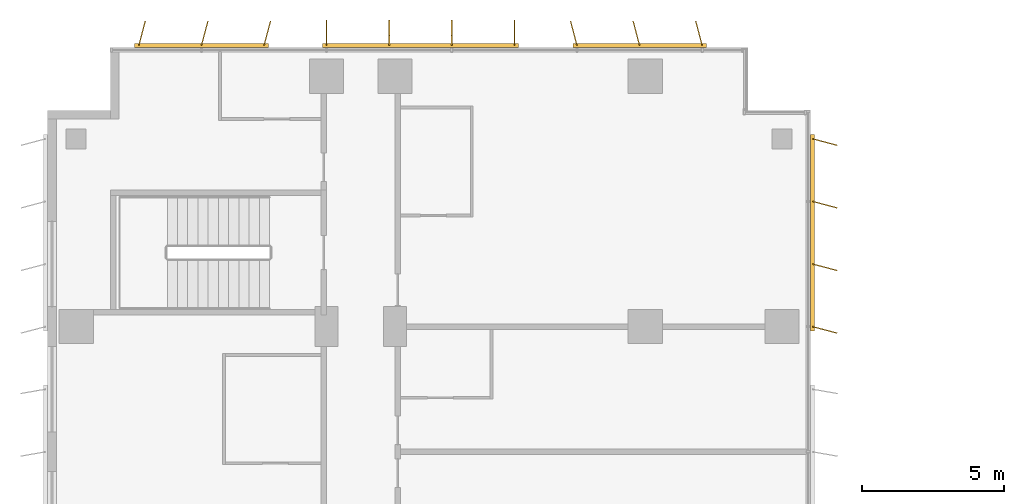
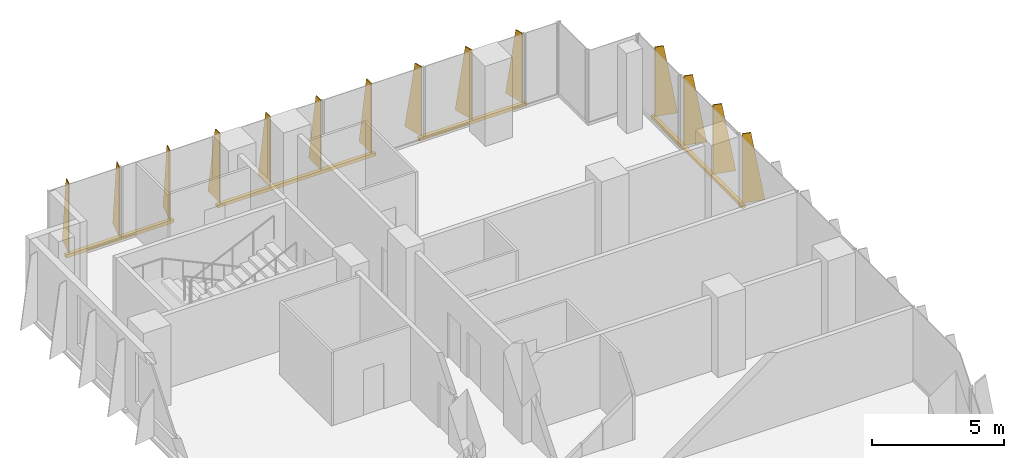
# One storey, part 22 of 22: 4 shading devices.
"""IFC4 building model written with IfcOpenShell, lengths in metres."""

from ifc_helpers import new_model, si_unit, direction, frame, origin, origin_2d, place, context, subcontext, project, spatial, polyline, rectangle, outline, extrude, source, transform, mapped, material, layer, layer_set, type_object, element, save


model = new_model("IFC4")

# Units and contexts
model_context = context("Model", 3, precision=1e-05, world=origin(), true_north=direction((0.0, 1.0)))
body_context = subcontext(model_context, "Body", "Model", "MODEL_VIEW")
ifc_project = project(units=[si_unit("LENGTHUNIT", "METRE"), si_unit("AREAUNIT", "SQUARE_METRE"), si_unit("VOLUMEUNIT", "CUBIC_METRE"), si_unit("PLANEANGLEUNIT", "RADIAN"), si_unit("MASSUNIT", "GRAM", prefix="KILO")], contexts=[model_context])

# Site, building, storey
site_placement = place(None, origin())
site = spatial("IfcSite", under=ifc_project, at=site_placement, CompositionType="ELEMENT")
building_placement = place(site_placement, origin())
building = spatial("IfcBuilding", under=site, at=building_placement, Name="Kemantara Hotel Tower", CompositionType="ELEMENT")
storey_placement = place(building_placement, frame((0.0, 0.0, 90.800048828125)))
storey = spatial("IfcBuildingStorey", under=building, at=storey_placement, Name="L21", CompositionType="ELEMENT", Elevation=90.800048828125)

# Shading devices
ifc_material = material(Name="Perforated aluminium plate 4 mm bronze anodised", Category="aluminium")
ifc_layer_1 = layer(ifc_material, 0.0400390625)
ifc_layer_set_1 = layer_set([ifc_layer_1], Name="Perforated aluminium plate 4 mm bronze anodised")
shading_device_type_1 = type_object("IfcShadingDeviceType", Name="SCREEN FIN CASSETTE, 3 BLADES AT -15.0 DEG, 3200 HIGH", PredefinedType="USERDEFINED", material=ifc_layer_set_1)
shared_shape_1 = source(origin(), body_context, "Body", "SweptSolid", [
    extrude(rectangle(XDim=4.699951171875, YDim=0.14990234375, at=origin_2d()), frame((2.199951171875, -0.074951171875, -0.14990234375), z_axis=(0.0, 0.0, 1.0), x_axis=(1.0, 0.0, 0.0)), (0.0, 0.0, 1.0), 0.14990234375),
    extrude(outline(polyline([(0.0, 0.0), (0.89990234375, 0.0), (0.35009765625, 3.199951171875), (0.0, 3.199951171875), (0.0, 0.0)])), frame((0.019287109375, -0.080078125, 0.0), z_axis=(-0.966437683387, 0.256901156343, 0.0), x_axis=(-0.256901156343, -0.966437683387, 0.0)), (0.0, 0.0, 1.0), 0.039794921875),
    extrude(outline(polyline([(0.0, 0.0), (0.89990234375, 0.0), (0.35009765625, 3.199951171875), (0.0, 3.199951171875), (0.0, 0.0)])), frame((2.21923828125, -0.080078125, 0.0), z_axis=(-0.966437683387, 0.256901156343, 0.0), x_axis=(-0.256901156343, -0.966437683387, 0.0)), (0.0, 0.0, 1.0), 0.039794921875),
    extrude(outline(polyline([(0.0, 0.0), (0.89990234375, 0.0), (0.35009765625, 3.199951171875), (0.0, 3.199951171875), (0.0, 0.0)])), frame((4.41943359375, -0.080078125, 0.0), z_axis=(-0.966837822169, 0.255391122837, 0.0), x_axis=(-0.255391122837, -0.966837822169, 0.0)), (0.0, 0.0, 1.0), 0.0400390625),
])
shading_device_1_placement = place(storey_placement, frame((7.60009765625, 81.199951171875, 0.099853515625), z_axis=(0.0, 0.0, 1.0), x_axis=(-1.0, 0.0, 0.0)))
element("IfcShadingDevice", 1, at=shading_device_1_placement, inside=storey, type_object=shading_device_type_1, Name="SCREEN FIN CASSETTE L21 T2-R01-3", ObjectType="SCREEN FIN", PredefinedType="USERDEFINED", context=body_context, shape_type="MappedRepresentation", body=[
    mapped(shared_shape_1, transform((0.0, 0.0, 0.0))),
])
ifc_layer_2 = layer(ifc_material, 0.0400390625)
ifc_layer_set_2 = layer_set([ifc_layer_2], Name="Perforated aluminium plate 4 mm bronze anodised")
shading_device_type_2 = type_object("IfcShadingDeviceType", Name="SCREEN FIN CASSETTE, 4 BLADES AT +0.0 DEG, 3200 HIGH", PredefinedType="USERDEFINED", material=ifc_layer_set_2)
shared_shape_2 = source(origin(), body_context, "Body", "SweptSolid", [
    extrude(rectangle(XDim=6.89990234375, YDim=0.14990234375, at=origin_2d()), frame((3.300048828125, -0.074951171875, -0.14990234375), z_axis=(0.0, 0.0, 1.0), x_axis=(1.0, 0.0, 0.0)), (0.0, 0.0, 1.0), 0.14990234375),
    extrude(outline(polyline([(0.0, 0.0), (0.89990234375, 0.0), (0.35009765625, 3.199951171875), (0.0, 3.199951171875), (0.0, 0.0)])), frame((0.02001953125, -0.074951171875, 0.0), z_axis=(-1.0, 0.0, 0.0), x_axis=(0.0, -1.0, 0.0)), (0.0, 0.0, 1.0), 0.0400390625),
    extrude(outline(polyline([(0.0, 0.0), (0.89990234375, 0.0), (0.35009765625, 3.199951171875), (0.0, 3.199951171875), (0.0, 0.0)])), frame((2.219970703125, -0.074951171875, 0.0), z_axis=(-1.0, 0.0, 0.0), x_axis=(0.0, -1.0, 0.0)), (0.0, 0.0, 1.0), 0.0400390625),
    extrude(outline(polyline([(0.0, 0.0), (0.89990234375, 0.0), (0.35009765625, 3.199951171875), (0.0, 3.199951171875), (0.0, 0.0)])), frame((4.419921875, -0.074951171875, 0.0), z_axis=(-1.0, 0.0, 0.0), x_axis=(0.0, -1.0, 0.0)), (0.0, 0.0, 1.0), 0.0400390625),
    extrude(outline(polyline([(0.0, 0.0), (0.89990234375, 0.0), (0.35009765625, 3.199951171875), (0.0, 3.199951171875), (0.0, 0.0)])), frame((6.6201171875, -0.074951171875, 0.0), z_axis=(-1.0, 0.0, 0.0), x_axis=(0.0, -1.0, 0.0)), (0.0, 0.0, 1.0), 0.0400390625),
])
shading_device_2_placement = place(storey_placement, frame((16.39990234375, 81.199951171875, 0.099853515625), z_axis=(0.0, 0.0, 1.0), x_axis=(-1.0, 0.0, 0.0)))
element("IfcShadingDevice", 2, at=shading_device_2_placement, inside=storey, type_object=shading_device_type_2, Name="SCREEN FIN CASSETTE L21 T2-R01-2", ObjectType="SCREEN FIN", PredefinedType="USERDEFINED", context=body_context, shape_type="MappedRepresentation", body=[
    mapped(shared_shape_2, transform((0.0, 0.0, 0.0))),
])
ifc_layer_3 = layer(ifc_material, 0.0400390625)
ifc_layer_set_3 = layer_set([ifc_layer_3], Name="Perforated aluminium plate 4 mm bronze anodised")
shading_device_type_3 = type_object("IfcShadingDeviceType", Name="SCREEN FIN CASSETTE, 3 BLADES AT +15.0 DEG, 3200 HIGH", PredefinedType="USERDEFINED", material=ifc_layer_set_3)
shared_shape_3 = source(origin(), body_context, "Body", "SweptSolid", [
    extrude(rectangle(XDim=4.699951171875, YDim=0.14990234375, at=origin_2d()), frame((2.199951171875, -0.074951171875, -0.14990234375), z_axis=(0.0, 0.0, 1.0), x_axis=(1.0, 0.0, 0.0)), (0.0, 0.0, 1.0), 0.14990234375),
    extrude(outline(polyline([(0.0, 0.0), (0.89990234375, 0.0), (0.35009765625, 3.199951171875), (0.0, 3.199951171875), (0.0, 0.0)])), frame((0.019287109375, -0.06982421875, 0.0), z_axis=(-0.966437683387, -0.256901156343, 0.0), x_axis=(0.256901156343, -0.966437683387, 0.0)), (0.0, 0.0, 1.0), 0.039794921875),
    extrude(outline(polyline([(0.0, 0.0), (0.89990234375, 0.0), (0.35009765625, 3.199951171875), (0.0, 3.199951171875), (0.0, 0.0)])), frame((2.21923828125, -0.06982421875, 0.0), z_axis=(-0.966437683387, -0.256901156343, 0.0), x_axis=(0.256901156343, -0.966437683387, 0.0)), (0.0, 0.0, 1.0), 0.039794921875),
    extrude(outline(polyline([(0.0, 0.0), (0.89990234375, 0.0), (0.35009765625, 3.199951171875), (0.0, 3.199951171875), (0.0, 0.0)])), frame((4.41943359375, -0.06982421875, 0.0), z_axis=(-0.966837822169, -0.255391122837, 0.0), x_axis=(0.255391122837, -0.966837822169, 0.0)), (0.0, 0.0, 1.0), 0.0400390625),
])
shading_device_3_placement = place(storey_placement, frame((23.0, 81.199951171875, 0.099853515625), z_axis=(0.0, 0.0, 1.0), x_axis=(-1.0, 0.0, 0.0)))
element("IfcShadingDevice", 3, at=shading_device_3_placement, inside=storey, type_object=shading_device_type_3, Name="SCREEN FIN CASSETTE L21 T2-R01-1", ObjectType="SCREEN FIN", PredefinedType="USERDEFINED", context=body_context, shape_type="MappedRepresentation", body=[
    mapped(shared_shape_3, transform((0.0, 0.0, 0.0))),
])
ifc_layer_4 = layer(ifc_material, 0.0400390625)
ifc_layer_set_4 = layer_set([ifc_layer_4], Name="Perforated aluminium plate 4 mm bronze anodised")
shading_device_type_4 = type_object("IfcShadingDeviceType", Name="SCREEN FIN CASSETTE, 4 BLADES AT -15.0 DEG, 3200 HIGH", PredefinedType="USERDEFINED", material=ifc_layer_set_4)
shared_shape_4 = source(origin(), body_context, "Body", "SweptSolid", [
    extrude(rectangle(XDim=6.89990234375, YDim=0.14990234375, at=origin_2d()), frame((3.300048828125, -0.074951171875, -0.14990234375), z_axis=(0.0, 0.0, 1.0), x_axis=(1.0, 0.0, 0.0)), (0.0, 0.0, 1.0), 0.14990234375),
    extrude(outline(polyline([(0.0, 0.0), (0.89990234375, 0.0), (0.35009765625, 3.199951171875), (0.0, 3.199951171875), (0.0, 0.0)])), frame((0.019287109375, -0.080078125, 0.0), z_axis=(-0.966437683387, 0.256901156343, 0.0), x_axis=(-0.256901156343, -0.966437683387, 0.0)), (0.0, 0.0, 1.0), 0.039794921875),
    extrude(outline(polyline([(0.0, 0.0), (0.89990234375, 0.0), (0.35009765625, 3.199951171875), (0.0, 3.199951171875), (0.0, 0.0)])), frame((2.21923828125, -0.080078125, 0.0), z_axis=(-0.966437683387, 0.256901156343, 0.0), x_axis=(-0.256901156343, -0.966437683387, 0.0)), (0.0, 0.0, 1.0), 0.039794921875),
    extrude(outline(polyline([(0.0, 0.0), (0.89990234375, 0.0), (0.35009765625, 3.199951171875), (0.0, 3.199951171875), (0.0, 0.0)])), frame((4.41943359375, -0.080078125, 0.0), z_axis=(-0.966837822169, 0.255391122837, 0.0), x_axis=(-0.255391122837, -0.966837822169, 0.0)), (0.0, 0.0, 1.0), 0.0400390625),
    extrude(outline(polyline([(0.0, 0.0), (0.89990234375, 0.0), (0.35009765625, 3.199951171875), (0.0, 3.199951171875), (0.0, 0.0)])), frame((6.619384765625, -0.080078125, 0.0), z_axis=(-0.966837822169, 0.255391122837, 0.0), x_axis=(-0.255391122837, -0.966837822169, 0.0)), (0.0, 0.0, 1.0), 0.0400390625),
])
shading_device_4_placement = place(storey_placement, frame((26.800048828125, 71.39990234375, 0.099853515625), z_axis=(0.0, 0.0, 1.0), x_axis=(0.0, 1.0, 0.0)))
element("IfcShadingDevice", 4, at=shading_device_4_placement, inside=storey, type_object=shading_device_type_4, Name="SCREEN FIN CASSETTE L21 T2-R14-7", ObjectType="SCREEN FIN", PredefinedType="USERDEFINED", context=body_context, shape_type="MappedRepresentation", body=[
    mapped(shared_shape_4, transform((0.0, 0.0, 0.0))),
])

save(model, "model.ifc")
